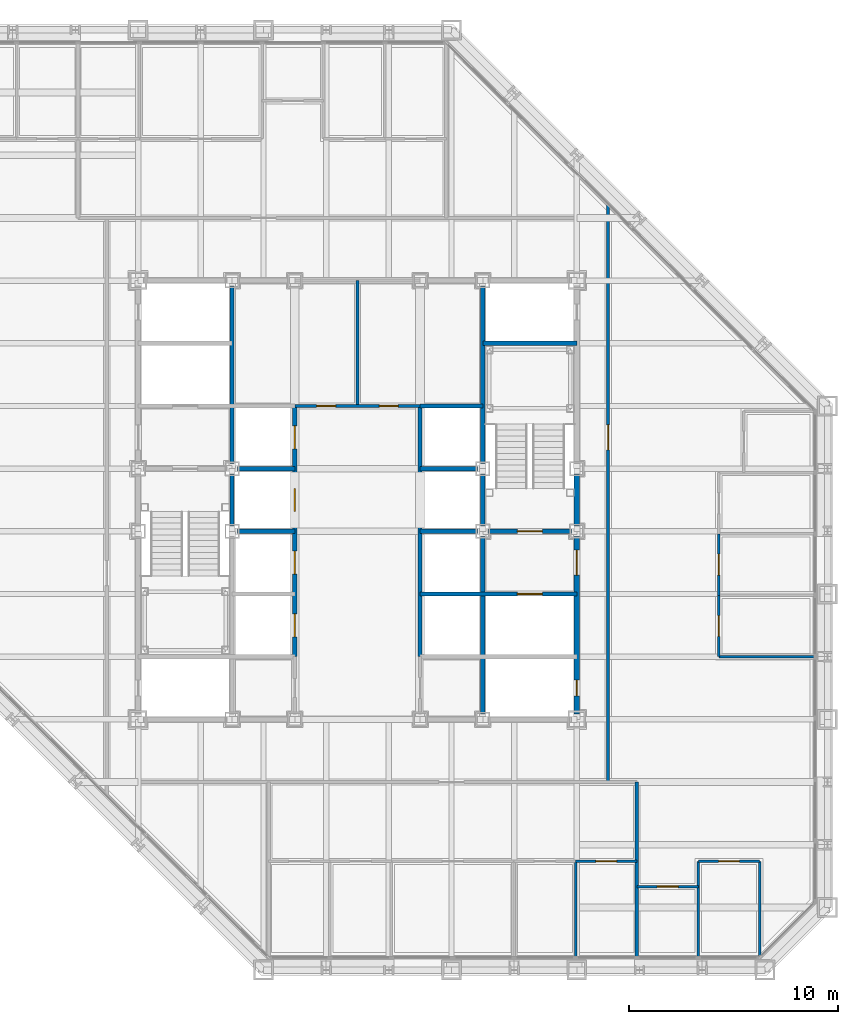
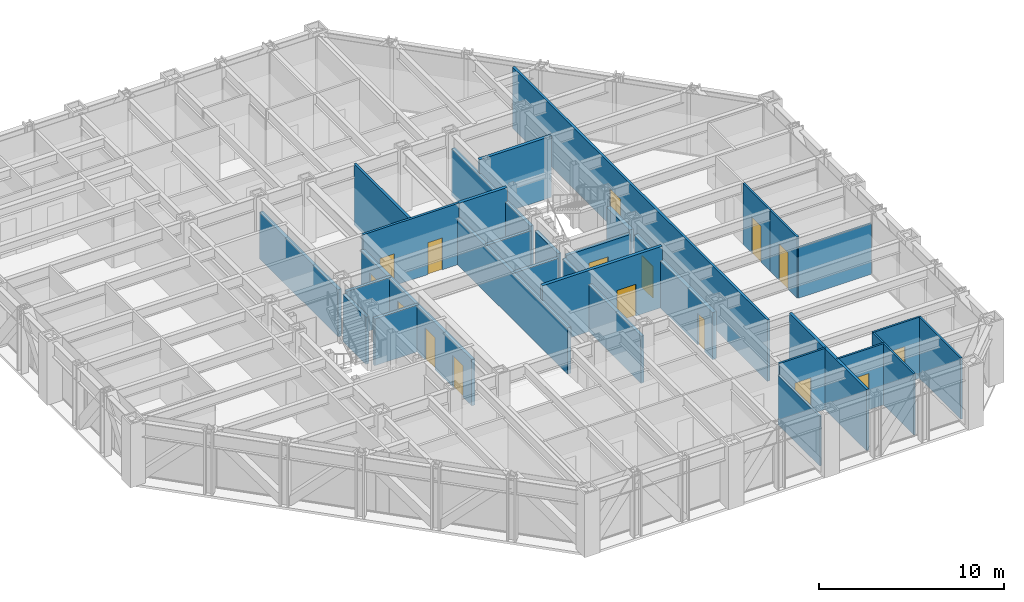
# One storey, part 11 of 16: 30 walls, 16 doors, 16 openings.
"""IFC4 building model written with IfcOpenShell, lengths in metres."""

from ifc_helpers import new_model, si_unit, direction, frame, frame_2d, origin, place, context, subcontext, project, spatial, rectangle, extrude, material, layer, layer_set, type_object, element, fill, save


model = new_model("IFC4")

# Units and contexts
model_context = context("Model", 3, precision=1e-05, world=origin(), true_north=direction((0.0, 1.0)))
body_context = subcontext(model_context, "Body", "Model", "MODEL_VIEW")
ifc_project = project(units=[si_unit("LENGTHUNIT", "METRE"), si_unit("AREAUNIT", "SQUARE_METRE"), si_unit("VOLUMEUNIT", "CUBIC_METRE"), si_unit("PLANEANGLEUNIT", "RADIAN"), si_unit("MASSUNIT", "GRAM", prefix="KILO")], contexts=[model_context])

# Site, building, storey
site_placement = place(None, origin())
site = spatial("IfcSite", under=ifc_project, at=site_placement, CompositionType="ELEMENT")
building_placement = place(site_placement, origin())
building = spatial("IfcBuilding", under=site, at=building_placement, Name="Chuquiago Exchange Tower", CompositionType="ELEMENT")
storey_placement = place(building_placement, frame((0.0, 0.0, 106.800048828125)))
storey = spatial("IfcBuildingStorey", under=building, at=storey_placement, Name="L22", CompositionType="ELEMENT", Elevation=106.800048828125)

# Wall, openings, doors
ifc_material_1 = material(Name="Concrete masonry, fully grouted", Category="masonry")
ifc_layer_1 = layer(ifc_material_1, 0.25)
ifc_layer_set_1 = layer_set([ifc_layer_1], Name="W1 core wall 250")
wall_type_1 = type_object("IfcWallType", Name="W1 core wall 250", PredefinedType="SOLIDWALL", material=ifc_layer_set_1)
wall_1_placement = place(storey_placement, frame((33.0, 12.25, 0.0), z_axis=(0.0, 0.0, 1.0), x_axis=(0.0, 1.0, 0.0)))
wall_1 = element("IfcWall", 1, at=wall_1_placement, inside=storey, type_object=wall_type_1, Name="CW-L22-25-0", PredefinedType="SOLIDWALL", context=body_context, shape_type="SweptSolid", body=[
    extrude(rectangle(XDim=8.5, YDim=0.25, at=frame_2d((4.25, 0.0))), origin(), (0.0, 0.0, 1.0), 3.11279296875),
])
opening_1_placement = place(wall_1_placement, frame((6.64990234375, 0.0, 0.0)))
opening_1 = element("IfcOpeningElement", 2, at=opening_1_placement, cuts=wall_1, Name="Opening L22-004", PredefinedType="OPENING", context=body_context, shape_type="SweptSolid", body=[
    extrude(rectangle(XDim=1.199951171875, YDim=2.10009765625, at=frame_2d((0.60009765625, 1.050048828125))), frame((0.0, 0.135009765625, 0.0), z_axis=(0.0, -1.0, 0.0), x_axis=(1.0, 0.0, 0.0)), (0.0, 0.0, 1.0), 0.27001953125),
])
opening_2_placement = place(wall_1_placement, frame((0.875, 0.0, 0.0)))
opening_2 = element("IfcOpeningElement", 3, at=opening_2_placement, cuts=wall_1, Name="Opening L22-009", PredefinedType="OPENING", context=body_context, shape_type="SweptSolid", body=[
    extrude(rectangle(XDim=0.75, YDim=2.10009765625, at=frame_2d((0.375, 1.050048828125))), frame((0.0, 0.135009765625, 0.0), z_axis=(0.0, -1.0, 0.0), x_axis=(1.0, 0.0, 0.0)), (0.0, 0.0, 1.0), 0.27001953125),
])
ifc_material_2 = material(Name="Steel door, painted", Category="steel")
door_type_1 = type_object("IfcDoorType", Name="D5 firefighting lobby door 1200x2100", OperationType="SINGLE_SWING_LEFT", PredefinedType="DOOR", material=ifc_material_2)
door_1_placement = place(opening_1_placement, origin())
door_1 = element("IfcDoor", 4, at=door_1_placement, inside=storey, type_object=door_type_1, Name="Firefighting lobby 2 door", OperationType="SINGLE_SWING_RIGHT", OverallHeight=2.10009765625, OverallWidth=1.199951171875, PredefinedType="DOOR", context=body_context, shape_type="SweptSolid", body=[
    extrude(rectangle(XDim=1.199951171875, YDim=2.10009765625, at=frame_2d((0.60009765625, 1.050048828125))), frame((0.0, 0.02490234375, 0.0), z_axis=(0.0, -1.0, 0.0), x_axis=(1.0, 0.0, 0.0)), (0.0, 0.0, 1.0), 0.050048828125),
])
fill(opening_1, door_1)
ifc_material_3 = material(Name="Steel door, painted", Category="steel")
door_type_2 = type_object("IfcDoorType", Name="D6 riser access door 750x2100", OperationType="SINGLE_SWING_LEFT", PredefinedType="DOOR", material=ifc_material_3)
door_2_placement = place(opening_2_placement, origin())
door_2 = element("IfcDoor", 5, at=door_2_placement, inside=storey, type_object=door_type_2, Name="Riser RE1 door", OperationType="SINGLE_SWING_LEFT", OverallHeight=2.10009765625, OverallWidth=0.75, PredefinedType="DOOR", context=body_context, shape_type="SweptSolid", body=[
    extrude(rectangle(XDim=0.75, YDim=2.10009765625, at=frame_2d((0.375, 1.050048828125))), frame((0.0, 0.02490234375, 0.0), z_axis=(0.0, -1.0, 0.0), x_axis=(1.0, 0.0, 0.0)), (0.0, 0.0, 1.0), 0.050048828125),
])
fill(opening_2, door_2)

# Wall
wall_2_placement = place(storey_placement, frame((33.0, 21.25, 0.0), z_axis=(0.0, 0.0, 1.0), x_axis=(0.0, 1.0, 0.0)))
element("IfcWall", 6, at=wall_2_placement, inside=storey, type_object=wall_type_1, Name="CW-L22-25-1", PredefinedType="SOLIDWALL", context=body_context, shape_type="SweptSolid", body=[
    extrude(rectangle(XDim=2.5, YDim=0.25, at=frame_2d((1.25, 0.0))), origin(), (0.0, 0.0, 1.0), 3.11279296875),
])

# Wall, opening, door
ifc_material_4 = material(Name="Gypsum board on steel studs, acoustic insulation", Category="steel")
ifc_layer_2 = layer(ifc_material_4, 0.14990234375)
ifc_layer_set_2 = layer_set([ifc_layer_2], Name="W11 corridor wall 150")
wall_type_2 = type_object("IfcWallType", Name="W11 corridor wall 150", PredefinedType="PARTITIONING", material=ifc_layer_set_2)
wall_3_placement = place(storey_placement, frame((34.5, 9.0, 0.0), z_axis=(0.0, 0.0, 1.0), x_axis=(0.0, 1.0, 0.0)))
wall_3 = element("IfcWall", 7, at=wall_3_placement, inside=storey, type_object=wall_type_2, Name="PW-L22-CE", PredefinedType="PARTITIONING", context=body_context, shape_type="SweptSolid", body=[
    extrude(rectangle(XDim=27.614501953125, YDim=0.14990234375, at=frame_2d((13.80712890625, 0.0))), origin(), (0.0, 0.0, 1.0), 4.0400390625),
])
opening_3_placement = place(wall_3_placement, frame((15.89990234375, 0.0, 0.0)))
opening_3 = element("IfcOpeningElement", 8, at=opening_3_placement, cuts=wall_3, Name="Opening L22-045", PredefinedType="OPENING", context=body_context, shape_type="SweptSolid", body=[
    extrude(rectangle(XDim=1.199951171875, YDim=2.39990234375, at=frame_2d((0.60009765625, 1.199951171875))), frame((0.0, 0.0849609375, 0.0), z_axis=(0.0, -1.0, 0.0), x_axis=(1.0, 0.0, 0.0)), (0.0, 0.0, 1.0), 0.169921875),
])
ifc_material_5 = material(Name="Timber door, laminate faced", Category="wood")
door_type_3 = type_object("IfcDoorType", Name="D13 suite entrance door 1200x2400", OperationType="SINGLE_SWING_LEFT", PredefinedType="DOOR", material=ifc_material_5)
door_3_placement = place(opening_3_placement, frame((1.199951171875, 0.0, 0.0), z_axis=(0.0, 0.0, 1.0), x_axis=(-1.0, 0.0, 0.0)))
door_3 = element("IfcDoor", 9, at=door_3_placement, inside=storey, type_object=door_type_3, Name="East suite entrance door", OperationType="SINGLE_SWING_LEFT", OverallHeight=2.39990234375, OverallWidth=1.199951171875, PredefinedType="DOOR", context=body_context, shape_type="SweptSolid", body=[
    extrude(rectangle(XDim=1.199951171875, YDim=2.39990234375, at=frame_2d((0.60009765625, 1.199951171875))), frame((0.0, 0.02490234375, 0.0), z_axis=(0.0, -1.0, 0.0), x_axis=(1.0, 0.0, 0.0)), (0.0, 0.0, 1.0), 0.050048828125),
])
fill(opening_3, door_3)

# Walls
ifc_material_6 = material(Name="Gypsum board on twin steel studs, acoustic insulation", Category="steel")
ifc_layer_3 = layer(ifc_material_6, 0.175048828125)
ifc_layer_set_3 = layer_set([ifc_layer_3], Name="W12 tenant demising wall 175")
wall_type_3 = type_object("IfcWallType", Name="W12 tenant demising wall 175", PredefinedType="PARTITIONING", material=ifc_layer_set_3)
wall_4_placement = place(storey_placement, frame((35.875732421875, 0.652587890625, 0.0), z_axis=(0.0, 0.0, 1.0), x_axis=(0.0, 1.0, 0.0)))
element("IfcWall", 10, at=wall_4_placement, inside=storey, type_object=wall_type_3, Name="PW-L22-DS03588", PredefinedType="PARTITIONING", context=body_context, shape_type="SweptSolid", body=[
    extrude(rectangle(XDim=8.347412109375, YDim=0.175048828125, at=frame_2d((4.173828125, 0.0))), origin(), (0.0, 0.0, 1.0), 4.0400390625),
])
ifc_material_7 = material(Name="Concrete masonry, fully grouted", Category="masonry")
ifc_layer_4 = layer(ifc_material_7, 0.199951171875)
ifc_layer_set_4 = layer_set([ifc_layer_4], Name="W2 shaft wall 200")
wall_type_4 = type_object("IfcWallType", Name="W2 shaft wall 200", PredefinedType="SOLIDWALL", material=ifc_layer_set_4)
for number, where, z_axis, x_axis, name in (
    (11, (16.75, 24.0, 0.0), (0.0, 0.0, 1.0), (1.0, 0.0, 0.0), "CW-L22-05-1"),
    (12, (25.5, 24.0, 0.0), (0.0, 0.0, 1.0), (1.0, 0.0, 0.0), "CW-L22-06-0"),
):
    element("IfcWall", number, at=place(storey_placement, frame(where, z_axis=z_axis, x_axis=x_axis)), inside=storey, type_object=wall_type_4, Name=name, PredefinedType="SOLIDWALL", context=body_context, shape_type="SweptSolid", body=[
        extrude(rectangle(XDim=2.75, YDim=0.199951171875, at=frame_2d((1.375, 0.0))), origin(), (0.0, 0.0, 1.0), 3.08984375),
    ])
wall_5_placement = place(storey_placement, frame((25.5, 27.0, 0.0), z_axis=(0.0, 0.0, 1.0), x_axis=(1.0, 0.0, 0.0)))
element("IfcWall", 13, at=wall_5_placement, inside=storey, type_object=wall_type_4, Name="CW-L22-08-0", PredefinedType="SOLIDWALL", context=body_context, shape_type="SweptSolid", body=[
    extrude(rectangle(XDim=3.0, YDim=0.199951171875, at=frame_2d((1.5, 0.0))), origin(), (0.0, 0.0, 1.0), 4.0400390625),
])
wall_6_placement = place(storey_placement, frame((28.5, 30.0, 0.0), z_axis=(0.0, 0.0, 1.0), x_axis=(1.0, 0.0, 0.0)))
element("IfcWall", 14, at=wall_6_placement, inside=storey, type_object=wall_type_4, Name="CW-L22-10-0", PredefinedType="SOLIDWALL", context=body_context, shape_type="SweptSolid", body=[
    extrude(rectangle(XDim=4.5, YDim=0.199951171875, at=frame_2d((2.25, 0.0))), origin(), (0.0, 0.0, 1.0), 4.0400390625),
])
wall_7_placement = place(storey_placement, frame((16.5, 21.25, 0.0), z_axis=(0.0, 0.0, 1.0), x_axis=(0.0, 1.0, 0.0)))
element("IfcWall", 15, at=wall_7_placement, inside=storey, type_object=wall_type_4, Name="CW-L22-13-1", PredefinedType="SOLIDWALL", context=body_context, shape_type="SweptSolid", body=[
    extrude(rectangle(XDim=2.5, YDim=0.199951171875, at=frame_2d((1.25, 0.0))), origin(), (0.0, 0.0, 1.0), 3.11279296875),
])
wall_8_placement = place(storey_placement, frame((16.5, 24.25, 0.0), z_axis=(0.0, 0.0, 1.0), x_axis=(0.0, 1.0, 0.0)))
element("IfcWall", 16, at=wall_8_placement, inside=storey, type_object=wall_type_4, Name="CW-L22-13-2", PredefinedType="SOLIDWALL", context=body_context, shape_type="SweptSolid", body=[
    extrude(rectangle(XDim=8.5, YDim=0.199951171875, at=frame_2d((4.25, 0.0))), origin(), (0.0, 0.0, 1.0), 3.11279296875),
])

# Wall, opening, door
wall_9_placement = place(storey_placement, frame((25.5, 18.0, 0.0), z_axis=(0.0, 0.0, 1.0), x_axis=(1.0, 0.0, 0.0)))
wall_9 = element("IfcWall", 17, at=wall_9_placement, inside=storey, type_object=wall_type_4, Name="CW-L22-15-0", PredefinedType="SOLIDWALL", context=body_context, shape_type="SweptSolid", body=[
    extrude(rectangle(XDim=7.5, YDim=0.199951171875, at=frame_2d((3.75, 0.0))), origin(), (0.0, 0.0, 1.0), 4.0400390625),
])
opening_4_placement = place(wall_9_placement, frame((4.64990234375, 0.0, 0.0)))
opening_4 = element("IfcOpeningElement", 18, at=opening_4_placement, cuts=wall_9, Name="Opening L22-006", PredefinedType="OPENING", context=body_context, shape_type="SweptSolid", body=[
    extrude(rectangle(XDim=1.199951171875, YDim=2.10009765625, at=frame_2d((0.60009765625, 1.050048828125))), frame((0.0, 0.10986328125, 0.0), z_axis=(0.0, -1.0, 0.0), x_axis=(1.0, 0.0, 0.0)), (0.0, 0.0, 1.0), 0.219970703125),
])
ifc_material_8 = material(Name="Stainless steel lift landing door", Category="steel")
door_type_4 = type_object("IfcDoorType", Name="LD2 firefighting lift landing door 1200x2100", OperationType="DOUBLE_DOOR_SLIDING", PredefinedType="DOOR", material=ifc_material_8)
door_4_placement = place(opening_4_placement, origin())
door_4 = element("IfcDoor", 19, at=door_4_placement, inside=storey, type_object=door_type_4, Name="Firefighting lift FL2 landing door", OperationType="DOUBLE_DOOR_SLIDING", OverallHeight=2.10009765625, OverallWidth=1.199951171875, PredefinedType="DOOR", context=body_context, shape_type="SweptSolid", body=[
    extrude(rectangle(XDim=1.199951171875, YDim=2.10009765625, at=frame_2d((0.60009765625, 1.050048828125))), frame((0.0, 0.02490234375, 0.0), z_axis=(0.0, -1.0, 0.0), x_axis=(1.0, 0.0, 0.0)), (0.0, 0.0, 1.0), 0.050048828125),
])
fill(opening_4, door_4)

# Walls
for number, where, z_axis, x_axis, name in (
    (20, (16.75, 21.0, 0.0), (0.0, 0.0, 1.0), (1.0, 0.0, 0.0), "CW-L22-16-0"),
    (21, (25.5, 21.0, 0.0), (0.0, 0.0, 1.0), (1.0, 0.0, 0.0), "CW-L22-17-0"),
):
    element("IfcWall", number, at=place(storey_placement, frame(where, z_axis=z_axis, x_axis=x_axis)), inside=storey, type_object=wall_type_4, Name=name, PredefinedType="SOLIDWALL", context=body_context, shape_type="SweptSolid", body=[
        extrude(rectangle(XDim=2.75, YDim=0.199951171875, at=frame_2d((1.375, 0.0))), origin(), (0.0, 0.0, 1.0), 3.08984375),
    ])

# Wall, opening, door
wall_10_placement = place(storey_placement, frame((28.75, 21.0, 0.0), z_axis=(0.0, 0.0, 1.0), x_axis=(1.0, 0.0, 0.0)))
wall_10 = element("IfcWall", 22, at=wall_10_placement, inside=storey, type_object=wall_type_4, Name="CW-L22-17-1", PredefinedType="SOLIDWALL", context=body_context, shape_type="SweptSolid", body=[
    extrude(rectangle(XDim=4.0, YDim=0.199951171875, at=frame_2d((2.0, 0.0))), origin(), (0.0, 0.0, 1.0), 3.08984375),
])
opening_5_placement = place(wall_10_placement, frame((1.39990234375, 0.0, 0.0)))
opening_5 = element("IfcOpeningElement", 23, at=opening_5_placement, cuts=wall_10, Name="Opening L22-003", PredefinedType="OPENING", context=body_context, shape_type="SweptSolid", body=[
    extrude(rectangle(XDim=1.199951171875, YDim=2.10009765625, at=frame_2d((0.60009765625, 1.050048828125))), frame((0.0, 0.10986328125, 0.0), z_axis=(0.0, -1.0, 0.0), x_axis=(1.0, 0.0, 0.0)), (0.0, 0.0, 1.0), 0.219970703125),
])
ifc_material_9 = material(Name="Steel door, painted", Category="steel")
door_type_5 = type_object("IfcDoorType", Name="D4 stair door 1200x2100", OperationType="SINGLE_SWING_LEFT", PredefinedType="DOOR", material=ifc_material_9)
door_5_placement = place(opening_5_placement, origin())
door_5 = element("IfcDoor", 24, at=door_5_placement, inside=storey, type_object=door_type_5, Name="Stair ST2 door", OperationType="SINGLE_SWING_LEFT", OverallHeight=2.10009765625, OverallWidth=1.199951171875, PredefinedType="DOOR", context=body_context, shape_type="SweptSolid", body=[
    extrude(rectangle(XDim=1.199951171875, YDim=2.10009765625, at=frame_2d((0.60009765625, 1.050048828125))), frame((0.0, 0.02490234375, 0.0), z_axis=(0.0, -1.0, 0.0), x_axis=(1.0, 0.0, 0.0)), (0.0, 0.0, 1.0), 0.050048828125),
])
fill(opening_5, door_5)

# Wall, openings, doors
wall_11_placement = place(storey_placement, frame((19.5, 15.0, 0.0), z_axis=(0.0, 0.0, 1.0), x_axis=(0.0, 1.0, 0.0)))
wall_11 = element("IfcWall", 25, at=wall_11_placement, inside=storey, type_object=wall_type_4, Name="CW-L22-19-0", PredefinedType="SOLIDWALL", context=body_context, shape_type="SweptSolid", body=[
    extrude(rectangle(XDim=12.0, YDim=0.199951171875, at=frame_2d((6.0, 0.0))), origin(), (0.0, 0.0, 1.0), 3.064453125),
])
opening_6_placement = place(wall_11_placement, frame((0.949951171875, 0.0, 0.0)))
opening_6 = element("IfcOpeningElement", 26, at=opening_6_placement, cuts=wall_11, Name="Opening L22-015", PredefinedType="OPENING", context=body_context, shape_type="SweptSolid", body=[
    extrude(rectangle(XDim=1.10009765625, YDim=2.10009765625, at=frame_2d((0.550048828125, 1.050048828125))), frame((0.0, 0.10986328125, 0.0), z_axis=(0.0, -1.0, 0.0), x_axis=(1.0, 0.0, 0.0)), (0.0, 0.0, 1.0), 0.219970703125),
])
opening_7_placement = place(wall_11_placement, frame((3.949951171875, 0.0, 0.0)))
opening_7 = element("IfcOpeningElement", 27, at=opening_7_placement, cuts=wall_11, Name="Opening L22-016", PredefinedType="OPENING", context=body_context, shape_type="SweptSolid", body=[
    extrude(rectangle(XDim=1.10009765625, YDim=2.10009765625, at=frame_2d((0.550048828125, 1.050048828125))), frame((0.0, 0.10986328125, 0.0), z_axis=(0.0, -1.0, 0.0), x_axis=(1.0, 0.0, 0.0)), (0.0, 0.0, 1.0), 0.219970703125),
])
opening_8_placement = place(wall_11_placement, frame((6.949951171875, 0.0, 0.0)))
opening_8 = element("IfcOpeningElement", 28, at=opening_8_placement, cuts=wall_11, Name="Opening L22-017", PredefinedType="OPENING", context=body_context, shape_type="SweptSolid", body=[
    extrude(rectangle(XDim=1.10009765625, YDim=2.10009765625, at=frame_2d((0.550048828125, 1.050048828125))), frame((0.0, 0.10986328125, 0.0), z_axis=(0.0, -1.0, 0.0), x_axis=(1.0, 0.0, 0.0)), (0.0, 0.0, 1.0), 0.219970703125),
])
opening_9_placement = place(wall_11_placement, frame((9.949951171875, 0.0, 0.0)))
opening_9 = element("IfcOpeningElement", 29, at=opening_9_placement, cuts=wall_11, Name="Opening L22-018", PredefinedType="OPENING", context=body_context, shape_type="SweptSolid", body=[
    extrude(rectangle(XDim=1.10009765625, YDim=2.10009765625, at=frame_2d((0.550048828125, 1.050048828125))), frame((0.0, 0.10986328125, 0.0), z_axis=(0.0, -1.0, 0.0), x_axis=(1.0, 0.0, 0.0)), (0.0, 0.0, 1.0), 0.219970703125),
])
ifc_material_10 = material(Name="Stainless steel lift landing door", Category="steel")
door_type_6 = type_object("IfcDoorType", Name="LD1 lift landing door 1100x2100", OperationType="DOUBLE_DOOR_SLIDING", PredefinedType="DOOR", material=ifc_material_10)
door_6_placement = place(opening_6_placement, origin())
door_6 = element("IfcDoor", 30, at=door_6_placement, inside=storey, type_object=door_type_6, Name="Lift LB1 landing door", OperationType="DOUBLE_DOOR_SLIDING", OverallHeight=2.10009765625, OverallWidth=1.10009765625, PredefinedType="DOOR", context=body_context, shape_type="SweptSolid", body=[
    extrude(rectangle(XDim=1.10009765625, YDim=2.10009765625, at=frame_2d((0.550048828125, 1.050048828125))), frame((0.0, 0.02490234375, 0.0), z_axis=(0.0, -1.0, 0.0), x_axis=(1.0, 0.0, 0.0)), (0.0, 0.0, 1.0), 0.050048828125),
])
fill(opening_6, door_6)
door_7_placement = place(opening_7_placement, origin())
door_7 = element("IfcDoor", 31, at=door_7_placement, inside=storey, type_object=door_type_6, Name="Lift LB2 landing door", OperationType="DOUBLE_DOOR_SLIDING", OverallHeight=2.10009765625, OverallWidth=1.10009765625, PredefinedType="DOOR", context=body_context, shape_type="SweptSolid", body=[
    extrude(rectangle(XDim=1.10009765625, YDim=2.10009765625, at=frame_2d((0.550048828125, 1.050048828125))), frame((0.0, 0.02490234375, 0.0), z_axis=(0.0, -1.0, 0.0), x_axis=(1.0, 0.0, 0.0)), (0.0, 0.0, 1.0), 0.050048828125),
])
fill(opening_7, door_7)
door_8_placement = place(opening_8_placement, origin())
door_8 = element("IfcDoor", 32, at=door_8_placement, inside=storey, type_object=door_type_6, Name="Lift LB3 landing door", OperationType="DOUBLE_DOOR_SLIDING", OverallHeight=2.10009765625, OverallWidth=1.10009765625, PredefinedType="DOOR", context=body_context, shape_type="SweptSolid", body=[
    extrude(rectangle(XDim=1.10009765625, YDim=2.10009765625, at=frame_2d((0.550048828125, 1.050048828125))), frame((0.0, 0.02490234375, 0.0), z_axis=(0.0, -1.0, 0.0), x_axis=(1.0, 0.0, 0.0)), (0.0, 0.0, 1.0), 0.050048828125),
])
fill(opening_8, door_8)
door_9_placement = place(opening_9_placement, origin())
door_9 = element("IfcDoor", 33, at=door_9_placement, inside=storey, type_object=door_type_6, Name="Lift LB4 landing door", OperationType="DOUBLE_DOOR_SLIDING", OverallHeight=2.10009765625, OverallWidth=1.10009765625, PredefinedType="DOOR", context=body_context, shape_type="SweptSolid", body=[
    extrude(rectangle(XDim=1.10009765625, YDim=2.10009765625, at=frame_2d((0.550048828125, 1.050048828125))), frame((0.0, 0.02490234375, 0.0), z_axis=(0.0, -1.0, 0.0), x_axis=(1.0, 0.0, 0.0)), (0.0, 0.0, 1.0), 0.050048828125),
])
fill(opening_9, door_9)

# Walls
wall_12_placement = place(storey_placement, frame((25.5, 15.0, 0.0), z_axis=(0.0, 0.0, 1.0), x_axis=(0.0, 1.0, 0.0)))
element("IfcWall", 34, at=wall_12_placement, inside=storey, type_object=wall_type_4, Name="CW-L22-22-0", PredefinedType="SOLIDWALL", context=body_context, shape_type="SweptSolid", body=[
    extrude(rectangle(XDim=12.0, YDim=0.199951171875, at=frame_2d((6.0, 0.0))), origin(), (0.0, 0.0, 1.0), 3.064453125),
])
wall_13_placement = place(storey_placement, frame((28.5, 12.25, 0.0), z_axis=(0.0, 0.0, 1.0), x_axis=(0.0, 1.0, 0.0)))
element("IfcWall", 35, at=wall_13_placement, inside=storey, type_object=wall_type_4, Name="CW-L22-24-0", PredefinedType="SOLIDWALL", context=body_context, shape_type="SweptSolid", body=[
    extrude(rectangle(XDim=8.5, YDim=0.199951171875, at=frame_2d((4.25, 0.0))), origin(), (0.0, 0.0, 1.0), 3.11279296875),
])
wall_14_placement = place(storey_placement, frame((28.5, 21.25, 0.0), z_axis=(0.0, 0.0, 1.0), x_axis=(0.0, 1.0, 0.0)))
element("IfcWall", 36, at=wall_14_placement, inside=storey, type_object=wall_type_4, Name="CW-L22-24-1", PredefinedType="SOLIDWALL", context=body_context, shape_type="SweptSolid", body=[
    extrude(rectangle(XDim=2.5, YDim=0.199951171875, at=frame_2d((1.25, 0.0))), origin(), (0.0, 0.0, 1.0), 3.11279296875),
])
wall_15_placement = place(storey_placement, frame((28.5, 24.25, 0.0), z_axis=(0.0, 0.0, 1.0), x_axis=(0.0, 1.0, 0.0)))
element("IfcWall", 37, at=wall_15_placement, inside=storey, type_object=wall_type_4, Name="CW-L22-24-2", PredefinedType="SOLIDWALL", context=body_context, shape_type="SweptSolid", body=[
    extrude(rectangle(XDim=8.5, YDim=0.199951171875, at=frame_2d((4.25, 0.0))), origin(), (0.0, 0.0, 1.0), 3.11279296875),
])

# Wall, openings, doors
ifc_material_11 = material(Name="Gypsum board on steel studs", Category="steel")
ifc_layer_5 = layer(ifc_material_11, 0.14990234375)
ifc_layer_set_5 = layer_set([ifc_layer_5], Name="W3 core partition 150")
wall_type_5 = type_object("IfcWallType", Name="W3 core partition 150", PredefinedType="PARTITIONING", material=ifc_layer_set_5)
wall_16_placement = place(storey_placement, frame((19.5, 27.0, 0.0), z_axis=(0.0, 0.0, 1.0), x_axis=(1.0, 0.0, 0.0)))
wall_16 = element("IfcWall", 38, at=wall_16_placement, inside=storey, type_object=wall_type_5, Name="CW-L22-TF", PredefinedType="PARTITIONING", context=body_context, shape_type="SweptSolid", body=[
    extrude(rectangle(XDim=6.0, YDim=0.14990234375, at=frame_2d((3.0, 0.0))), origin(), (0.0, 0.0, 1.0), 4.0400390625),
])
opening_10_placement = place(wall_16_placement, frame((1.050048828125, 0.0, 0.0)))
opening_10 = element("IfcOpeningElement", 39, at=opening_10_placement, cuts=wall_16, Name="Opening L22-011", PredefinedType="OPENING", context=body_context, shape_type="SweptSolid", body=[
    extrude(rectangle(XDim=0.89990234375, YDim=2.10009765625, at=frame_2d((0.449951171875, 1.050048828125))), frame((0.0, 0.0849609375, 0.0), z_axis=(0.0, -1.0, 0.0), x_axis=(1.0, 0.0, 0.0)), (0.0, 0.0, 1.0), 0.169921875),
])
opening_11_placement = place(wall_16_placement, frame((4.050048828125, 0.0, 0.0)))
opening_11 = element("IfcOpeningElement", 40, at=opening_11_placement, cuts=wall_16, Name="Opening L22-012", PredefinedType="OPENING", context=body_context, shape_type="SweptSolid", body=[
    extrude(rectangle(XDim=0.89990234375, YDim=2.10009765625, at=frame_2d((0.449951171875, 1.050048828125))), frame((0.0, 0.0849609375, 0.0), z_axis=(0.0, -1.0, 0.0), x_axis=(1.0, 0.0, 0.0)), (0.0, 0.0, 1.0), 0.169921875),
])
ifc_material_12 = material(Name="Timber door, laminate faced", Category="wood")
door_type_7 = type_object("IfcDoorType", Name="D7 toilet door 900x2100", OperationType="SINGLE_SWING_LEFT", PredefinedType="DOOR", material=ifc_material_12)
door_10_placement = place(opening_10_placement, origin())
door_10 = element("IfcDoor", 41, at=door_10_placement, inside=storey, type_object=door_type_7, Name="Male WC door", OperationType="SINGLE_SWING_RIGHT", OverallHeight=2.10009765625, OverallWidth=0.89990234375, PredefinedType="DOOR", context=body_context, shape_type="SweptSolid", body=[
    extrude(rectangle(XDim=0.89990234375, YDim=2.10009765625, at=frame_2d((0.449951171875, 1.050048828125))), frame((0.0, 0.02490234375, 0.0), z_axis=(0.0, -1.0, 0.0), x_axis=(1.0, 0.0, 0.0)), (0.0, 0.0, 1.0), 0.050048828125),
])
fill(opening_10, door_10)
door_11_placement = place(opening_11_placement, origin())
door_11 = element("IfcDoor", 42, at=door_11_placement, inside=storey, type_object=door_type_7, Name="Female WC door", OperationType="SINGLE_SWING_LEFT", OverallHeight=2.10009765625, OverallWidth=0.89990234375, PredefinedType="DOOR", context=body_context, shape_type="SweptSolid", body=[
    extrude(rectangle(XDim=0.89990234375, YDim=2.10009765625, at=frame_2d((0.449951171875, 1.050048828125))), frame((0.0, 0.02490234375, 0.0), z_axis=(0.0, -1.0, 0.0), x_axis=(1.0, 0.0, 0.0)), (0.0, 0.0, 1.0), 0.050048828125),
])
fill(opening_11, door_11)

# Walls
wall_17_placement = place(storey_placement, frame((22.5, 27.0, 0.0), z_axis=(0.0, 0.0, 1.0), x_axis=(0.0, 1.0, 0.0)))
element("IfcWall", 43, at=wall_17_placement, inside=storey, type_object=wall_type_5, Name="CW-L22-TM", PredefinedType="PARTITIONING", context=body_context, shape_type="SweptSolid", body=[
    extrude(rectangle(XDim=6.0, YDim=0.14990234375, at=frame_2d((3.0, 0.0))), origin(), (0.0, 0.0, 1.0), 4.0400390625),
])
ifc_material_13 = material(Name="Gypsum board on steel studs", Category="steel")
ifc_layer_6 = layer(ifc_material_13, 0.1201171875)
ifc_layer_set_6 = layer_set([ifc_layer_6], Name="W4 partition 120")
wall_type_6 = type_object("IfcWallType", Name="W4 partition 120", PredefinedType="PARTITIONING", material=ifc_layer_set_6)
wall_18_placement = place(storey_placement, frame((32.93798828125, 0.652587890625, 0.0), z_axis=(0.0, 0.0, 1.0), x_axis=(0.0, 1.0, 0.0)))
element("IfcWall", 44, at=wall_18_placement, inside=storey, type_object=wall_type_6, Name="PW-L22-S03294", PredefinedType="PARTITIONING", context=body_context, shape_type="SweptSolid", body=[
    extrude(rectangle(XDim=4.54736328125, YDim=0.1201171875, at=frame_2d((2.273681640625, 0.0))), origin(), (0.0, 0.0, 1.0), 3.270263671875),
])
wall_19_placement = place(storey_placement, frame((38.813720703125, 0.652587890625, 0.0), z_axis=(0.0, 0.0, 1.0), x_axis=(0.0, 1.0, 0.0)))
element("IfcWall", 45, at=wall_19_placement, inside=storey, type_object=wall_type_6, Name="PW-L22-S03881", PredefinedType="PARTITIONING", context=body_context, shape_type="SweptSolid", body=[
    extrude(rectangle(XDim=4.54736328125, YDim=0.1201171875, at=frame_2d((2.273681640625, 0.0))), origin(), (0.0, 0.0, 1.0), 4.0400390625),
])
wall_20_placement = place(storey_placement, frame((41.75146484375, 0.666015625, 0.0), z_axis=(0.0, 0.0, 1.0), x_axis=(0.0, 1.0, 0.0)))
element("IfcWall", 46, at=wall_20_placement, inside=storey, type_object=wall_type_6, Name="PW-L22-S04175", PredefinedType="PARTITIONING", context=body_context, shape_type="SweptSolid", body=[
    extrude(rectangle(XDim=4.533935546875, YDim=0.1201171875, at=frame_2d((2.26708984375, 0.0))), origin(), (0.0, 0.0, 1.0), 4.0400390625),
])

# Wall, opening, door
wall_21_placement = place(storey_placement, frame((32.93798828125, 5.199951171875, 0.0), z_axis=(0.0, 0.0, 1.0), x_axis=(1.0, 0.0, 0.0)))
wall_21 = element("IfcWall", 47, at=wall_21_placement, inside=storey, type_object=wall_type_6, Name="PW-L22-SF03294", PredefinedType="PARTITIONING", context=body_context, shape_type="SweptSolid", body=[
    extrude(rectangle(XDim=2.937744140625, YDim=0.1201171875, at=frame_2d((1.46875, 0.0))), origin(), (0.0, 0.0, 1.0), 4.0400390625),
])
opening_12_placement = place(wall_21_placement, frame((0.968994140625, 0.0, 0.0)))
opening_12 = element("IfcOpeningElement", 48, at=opening_12_placement, cuts=wall_21, Name="Opening L22-023", PredefinedType="OPENING", context=body_context, shape_type="SweptSolid", body=[
    extrude(rectangle(XDim=1.0, YDim=2.39990234375, at=frame_2d((0.5, 1.199951171875))), frame((0.0, 0.070068359375, 0.0), z_axis=(0.0, -1.0, 0.0), x_axis=(1.0, 0.0, 0.0)), (0.0, 0.0, 1.0), 0.14013671875),
])
ifc_material_14 = material(Name="Timber door, laminate faced", Category="wood")
door_type_8 = type_object("IfcDoorType", Name="D9 room door 1000x2400", OperationType="SINGLE_SWING_LEFT", PredefinedType="DOOR", material=ifc_material_14)
door_12_placement = place(opening_12_placement, frame((1.0, 0.0, 0.0), z_axis=(0.0, 0.0, 1.0), x_axis=(-1.0, 0.0, 0.0)))
door_12 = element("IfcDoor", 49, at=door_12_placement, inside=storey, type_object=door_type_8, Name="Office door", OperationType="SINGLE_SWING_LEFT", OverallHeight=2.39990234375, OverallWidth=1.0, PredefinedType="DOOR", context=body_context, shape_type="SweptSolid", body=[
    extrude(rectangle(XDim=1.0, YDim=2.39990234375, at=frame_2d((0.5, 1.199951171875))), frame((0.0, 0.02490234375, 0.0), z_axis=(0.0, -1.0, 0.0), x_axis=(1.0, 0.0, 0.0)), (0.0, 0.0, 1.0), 0.050048828125),
])
fill(opening_12, door_12)

wall_22_placement = place(storey_placement, frame((35.875732421875, 4.0, 0.0), z_axis=(0.0, 0.0, 1.0), x_axis=(1.0, 0.0, 0.0)))
wall_22 = element("IfcWall", 50, at=wall_22_placement, inside=storey, type_object=wall_type_6, Name="PW-L22-SF03588", PredefinedType="PARTITIONING", context=body_context, shape_type="SweptSolid", body=[
    extrude(rectangle(XDim=2.93798828125, YDim=0.1201171875, at=frame_2d((1.468994140625, 0.0))), origin(), (0.0, 0.0, 1.0), 4.0400390625),
])
opening_13_placement = place(wall_22_placement, frame((0.968994140625, 0.0, 0.0)))
opening_13 = element("IfcOpeningElement", 51, at=opening_13_placement, cuts=wall_22, Name="Opening L22-024", PredefinedType="OPENING", context=body_context, shape_type="SweptSolid", body=[
    extrude(rectangle(XDim=1.0, YDim=2.39990234375, at=frame_2d((0.5, 1.199951171875))), frame((0.0, 0.070068359375, 0.0), z_axis=(0.0, -1.0, 0.0), x_axis=(1.0, 0.0, 0.0)), (0.0, 0.0, 1.0), 0.14013671875),
])
door_13_placement = place(opening_13_placement, frame((1.0, 0.0, 0.0), z_axis=(0.0, 0.0, 1.0), x_axis=(-1.0, 0.0, 0.0)))
door_13 = element("IfcDoor", 52, at=door_13_placement, inside=storey, type_object=door_type_8, Name="Pantry door", OperationType="SINGLE_SWING_RIGHT", OverallHeight=2.39990234375, OverallWidth=1.0, PredefinedType="DOOR", context=body_context, shape_type="SweptSolid", body=[
    extrude(rectangle(XDim=1.0, YDim=2.39990234375, at=frame_2d((0.5, 1.199951171875))), frame((0.0, 0.02490234375, 0.0), z_axis=(0.0, -1.0, 0.0), x_axis=(1.0, 0.0, 0.0)), (0.0, 0.0, 1.0), 0.050048828125),
])
fill(opening_13, door_13)

wall_23_placement = place(storey_placement, frame((38.813720703125, 5.199951171875, 0.0), z_axis=(0.0, 0.0, 1.0), x_axis=(1.0, 0.0, 0.0)))
wall_23 = element("IfcWall", 53, at=wall_23_placement, inside=storey, type_object=wall_type_6, Name="PW-L22-SF03881", PredefinedType="PARTITIONING", context=body_context, shape_type="SweptSolid", body=[
    extrude(rectangle(XDim=2.937744140625, YDim=0.1201171875, at=frame_2d((1.46875, 0.0))), origin(), (0.0, 0.0, 1.0), 4.0400390625),
])
opening_14_placement = place(wall_23_placement, frame((0.968994140625, 0.0, 0.0)))
opening_14 = element("IfcOpeningElement", 54, at=opening_14_placement, cuts=wall_23, Name="Opening L22-025", PredefinedType="OPENING", context=body_context, shape_type="SweptSolid", body=[
    extrude(rectangle(XDim=1.0, YDim=2.39990234375, at=frame_2d((0.5, 1.199951171875))), frame((0.0, 0.070068359375, 0.0), z_axis=(0.0, -1.0, 0.0), x_axis=(1.0, 0.0, 0.0)), (0.0, 0.0, 1.0), 0.14013671875),
])
door_14_placement = place(opening_14_placement, frame((1.0, 0.0, 0.0), z_axis=(0.0, 0.0, 1.0), x_axis=(-1.0, 0.0, 0.0)))
door_14 = element("IfcDoor", 55, at=door_14_placement, inside=storey, type_object=door_type_8, Name="Office door", OperationType="SINGLE_SWING_RIGHT", OverallHeight=2.39990234375, OverallWidth=1.0, PredefinedType="DOOR", context=body_context, shape_type="SweptSolid", body=[
    extrude(rectangle(XDim=1.0, YDim=2.39990234375, at=frame_2d((0.5, 1.199951171875))), frame((0.0, 0.02490234375, 0.0), z_axis=(0.0, -1.0, 0.0), x_axis=(1.0, 0.0, 0.0)), (0.0, 0.0, 1.0), 0.050048828125),
])
fill(opening_14, door_14)

# Wall
wall_24_placement = place(storey_placement, frame((44.347412109375, 15.0, 0.0), z_axis=(0.0, 0.0, 1.0), x_axis=(-1.0, 0.0, 0.0)))
element("IfcWall", 56, at=wall_24_placement, inside=storey, type_object=wall_type_6, Name="PW-L22-E01500", PredefinedType="PARTITIONING", context=body_context, shape_type="SweptSolid", body=[
    extrude(rectangle(XDim=4.54736328125, YDim=0.1201171875, at=frame_2d((2.273681640625, 0.0))), origin(), (0.0, 0.0, 1.0), 3.356689453125),
])

# Wall, opening, door
wall_25_placement = place(storey_placement, frame((39.800048828125, 15.0, 0.0), z_axis=(0.0, 0.0, 1.0), x_axis=(0.0, 1.0, 0.0)))
wall_25 = element("IfcWall", 57, at=wall_25_placement, inside=storey, type_object=wall_type_6, Name="PW-L22-EF01500", PredefinedType="PARTITIONING", context=body_context, shape_type="SweptSolid", body=[
    extrude(rectangle(XDim=2.93798828125, YDim=0.1201171875, at=frame_2d((1.468994140625, 0.0))), origin(), (0.0, 0.0, 1.0), 4.0400390625),
])
opening_15_placement = place(wall_25_placement, frame((0.968994140625, 0.0, 0.0)))
opening_15 = element("IfcOpeningElement", 58, at=opening_15_placement, cuts=wall_25, Name="Opening L22-026", PredefinedType="OPENING", context=body_context, shape_type="SweptSolid", body=[
    extrude(rectangle(XDim=1.0, YDim=2.39990234375, at=frame_2d((0.5, 1.199951171875))), frame((0.0, 0.070068359375, 0.0), z_axis=(0.0, -1.0, 0.0), x_axis=(1.0, 0.0, 0.0)), (0.0, 0.0, 1.0), 0.14013671875),
])
door_15_placement = place(opening_15_placement, frame((1.0, 0.0, 0.0), z_axis=(0.0, 0.0, 1.0), x_axis=(-1.0, 0.0, 0.0)))
door_15 = element("IfcDoor", 59, at=door_15_placement, inside=storey, type_object=door_type_8, Name="Office door", OperationType="SINGLE_SWING_RIGHT", OverallHeight=2.39990234375, OverallWidth=1.0, PredefinedType="DOOR", context=body_context, shape_type="SweptSolid", body=[
    extrude(rectangle(XDim=1.0, YDim=2.39990234375, at=frame_2d((0.5, 1.199951171875))), frame((0.0, 0.02490234375, 0.0), z_axis=(0.0, -1.0, 0.0), x_axis=(1.0, 0.0, 0.0)), (0.0, 0.0, 1.0), 0.050048828125),
])
fill(opening_15, door_15)

wall_26_placement = place(storey_placement, frame((39.800048828125, 17.93798828125, 0.0), z_axis=(0.0, 0.0, 1.0), x_axis=(0.0, 1.0, 0.0)))
wall_26 = element("IfcWall", 60, at=wall_26_placement, inside=storey, type_object=wall_type_6, Name="PW-L22-EF01794", PredefinedType="PARTITIONING", context=body_context, shape_type="SweptSolid", body=[
    extrude(rectangle(XDim=2.937744140625, YDim=0.1201171875, at=frame_2d((1.46875, 0.0))), origin(), (0.0, 0.0, 1.0), 4.0400390625),
])
opening_16_placement = place(wall_26_placement, frame((0.968994140625, 0.0, 0.0)))
opening_16 = element("IfcOpeningElement", 61, at=opening_16_placement, cuts=wall_26, Name="Opening L22-027", PredefinedType="OPENING", context=body_context, shape_type="SweptSolid", body=[
    extrude(rectangle(XDim=1.0, YDim=2.39990234375, at=frame_2d((0.5, 1.199951171875))), frame((0.0, 0.070068359375, 0.0), z_axis=(0.0, -1.0, 0.0), x_axis=(1.0, 0.0, 0.0)), (0.0, 0.0, 1.0), 0.14013671875),
])
door_16_placement = place(opening_16_placement, frame((1.0, 0.0, 0.0), z_axis=(0.0, 0.0, 1.0), x_axis=(-1.0, 0.0, 0.0)))
door_16 = element("IfcDoor", 62, at=door_16_placement, inside=storey, type_object=door_type_8, Name="Office door", OperationType="SINGLE_SWING_LEFT", OverallHeight=2.39990234375, OverallWidth=1.0, PredefinedType="DOOR", context=body_context, shape_type="SweptSolid", body=[
    extrude(rectangle(XDim=1.0, YDim=2.39990234375, at=frame_2d((0.5, 1.199951171875))), frame((0.0, 0.02490234375, 0.0), z_axis=(0.0, -1.0, 0.0), x_axis=(1.0, 0.0, 0.0)), (0.0, 0.0, 1.0), 0.050048828125),
])
fill(opening_16, door_16)

save(model, "model.ifc")
